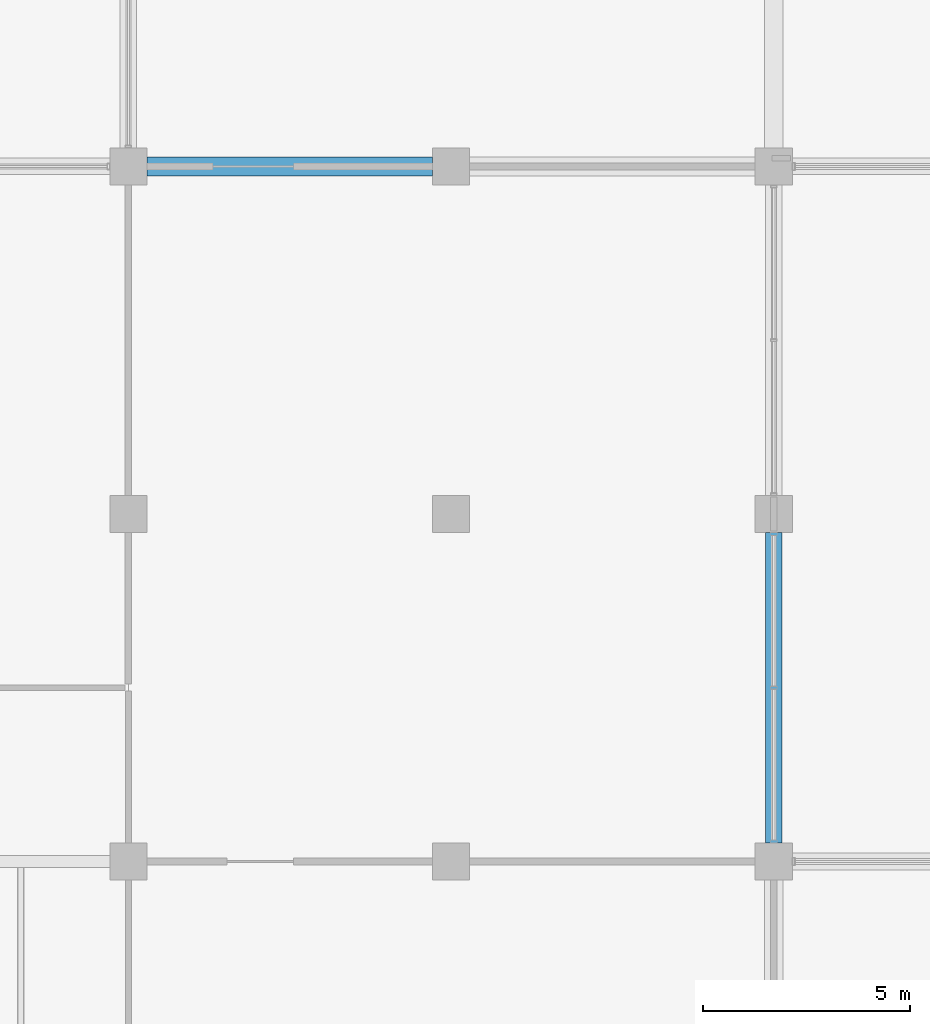
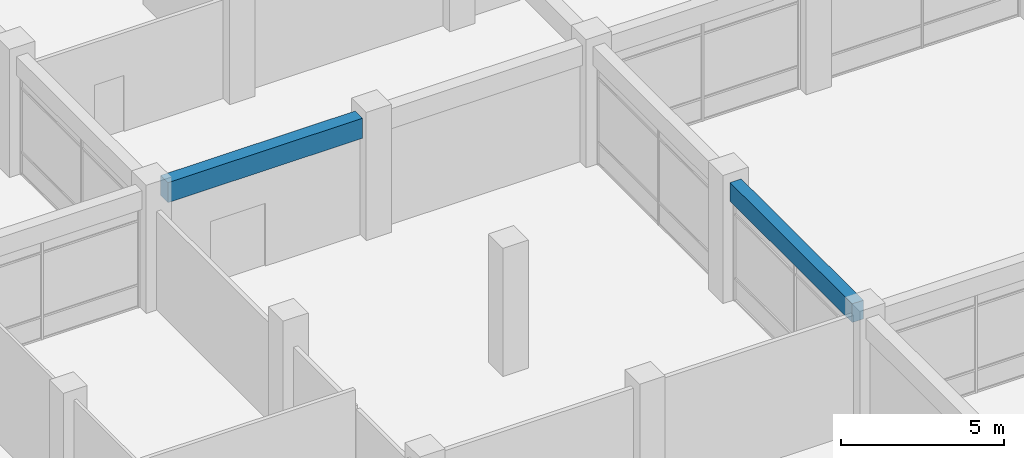
# One storey, part 21 of 74: 2 beams.
"""IFC4 building model written with IfcOpenShell, lengths in metres."""

from ifc_helpers import new_model, si_unit, direction, frame, origin, origin_2d, place, context, subcontext, project, spatial, rectangle, extrude, material, material_profile, profile_set, type_object, element, save


model = new_model("IFC4")

# Units and contexts
model_context = context("Model", 3, precision=1e-05, world=origin(), true_north=direction((0.0, 1.0)))
body_context = subcontext(model_context, "Body", "Model", "MODEL_VIEW")
ifc_project = project(units=[si_unit("LENGTHUNIT", "METRE"), si_unit("AREAUNIT", "SQUARE_METRE"), si_unit("VOLUMEUNIT", "CUBIC_METRE"), si_unit("PLANEANGLEUNIT", "RADIAN"), si_unit("MASSUNIT", "GRAM", prefix="KILO"), si_unit("THERMODYNAMICTEMPERATUREUNIT", "KELVIN"), si_unit("POWERUNIT", "WATT")], contexts=[model_context])

# Site, building, storey
site_placement = place(None, origin())
site = spatial("IfcSite", under=ifc_project, at=site_placement, CompositionType="ELEMENT")
building_placement = place(site_placement, origin())
building = spatial("IfcBuilding", under=site, at=building_placement, Name="Srebrne Nadtorze General Hospital", CompositionType="ELEMENT")
storey_placement = place(building_placement, origin())
storey = spatial("IfcBuildingStorey", under=building, at=storey_placement, Name="L00", CompositionType="ELEMENT", Elevation=0.0)

# Beams
ifc_material_1 = material(Name="Concrete C40/50", Category="concrete")
ifc_material_profile_1 = material_profile(ifc_material_1, rectangle(XDim=0.39990234375, YDim=0.699951171875, at=origin_2d()), Name="RC-BM-400x700")
ifc_profile_set_1 = profile_set([ifc_material_profile_1], Name="Concrete C40/50")
beam_type_1 = type_object("IfcBeamType", Name="Edge beam RC 400x700", PredefinedType="BEAM", material=ifc_profile_set_1)
beam_1_placement = place(storey_placement, frame((117.0, 8.85009765625, 4.10009765625), z_axis=(0.0, 1.0, 0.0), x_axis=(-1.0, 0.0, 0.0)))
element("IfcBeam", 1, at=beam_1_placement, inside=storey, type_object=beam_type_1, Name="Beam BM-L00-Y-0328", PredefinedType="BEAM", context=body_context, shape_type="SweptSolid", body=[
    extrude(rectangle(XDim=0.39990234375, YDim=0.699951171875, at=origin_2d()), origin(), (0.0, 0.0, 1.0), 7.5),
])
ifc_material_2 = material(Name="Concrete C40/50", Category="concrete")
ifc_material_profile_2 = material_profile(ifc_material_2, rectangle(XDim=0.449951171875, YDim=0.75, at=origin_2d()), Name="RC-BM-450x750")
ifc_profile_set_2 = profile_set([ifc_material_profile_2], Name="Concrete C40/50")
beam_type_2 = type_object("IfcBeamType", Name="Primary beam RC 450x750", PredefinedType="BEAM", material=ifc_profile_set_2)
beam_2_placement = place(storey_placement, frame((101.85009765625, 25.199951171875, 4.074951171875), z_axis=(1.0, 0.0, 0.0), x_axis=(0.0, 1.0, 0.0)))
element("IfcBeam", 2, at=beam_2_placement, inside=storey, type_object=beam_type_2, Name="Beam BM-L00-X-0209", PredefinedType="BEAM", context=body_context, shape_type="SweptSolid", body=[
    extrude(rectangle(XDim=0.449951171875, YDim=0.75, at=origin_2d()), origin(), (0.0, 0.0, 1.0), 6.89990234375),
])

save(model, "model.ifc")
